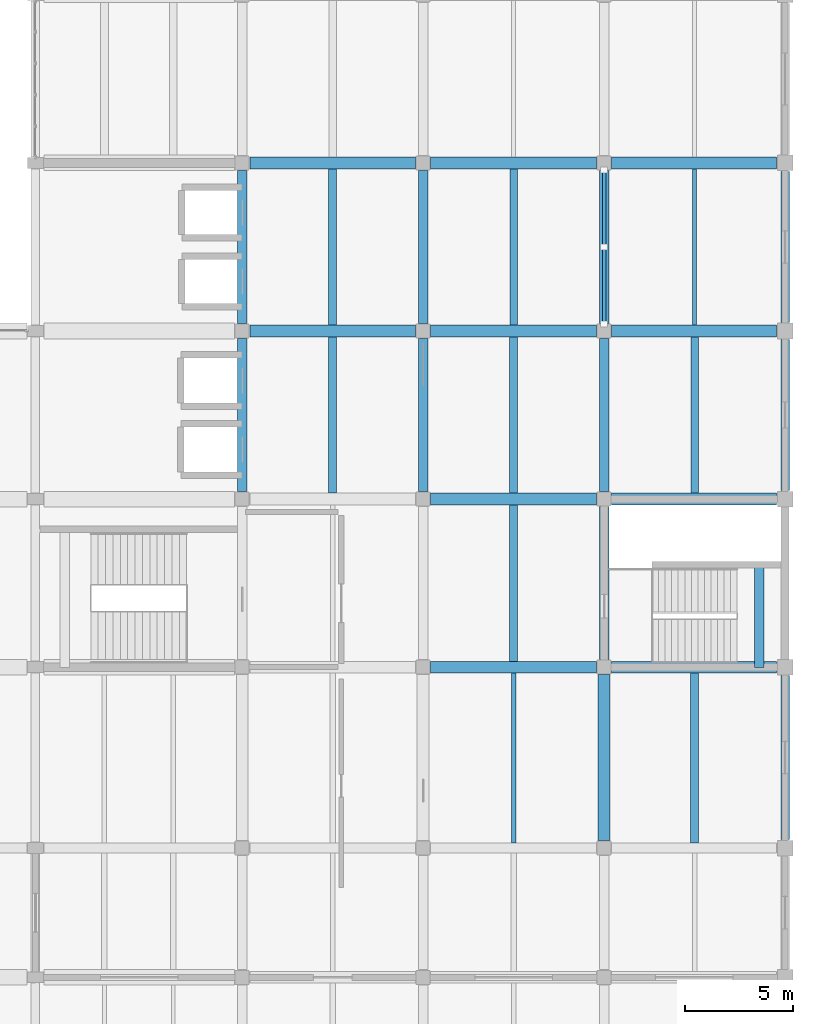
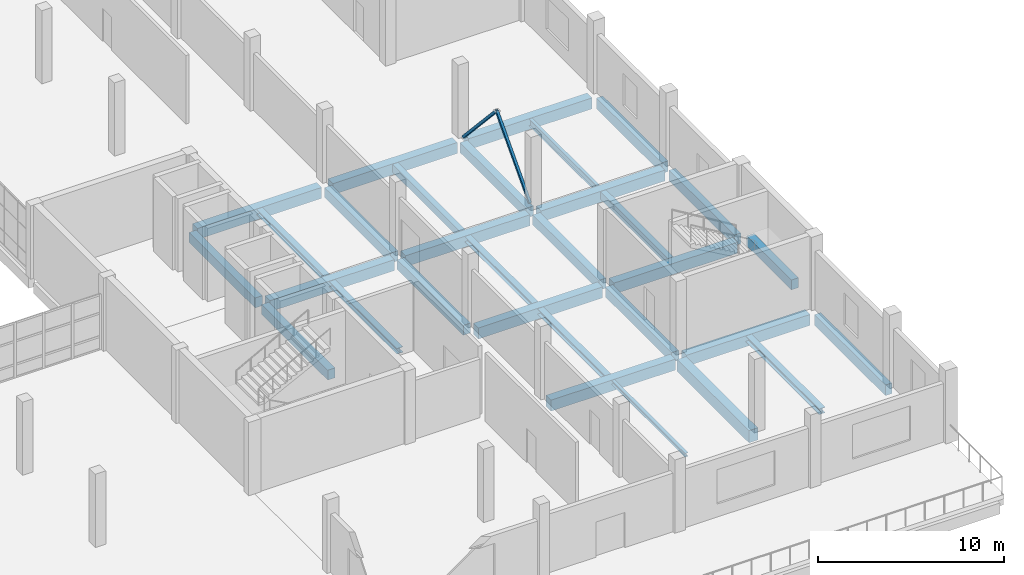
# One storey, part 37 of 79: 31 beams, 2 members.
"""IFC4 building model written with IfcOpenShell, lengths in metres."""

from ifc_helpers import new_model, si_unit, direction, frame, origin, origin_2d, place, context, subcontext, project, spatial, rectangle, hollow_rectangle, i_section, extrude, material, material_profile, profile_set, type_object, element, save


model = new_model("IFC4")

# Units and contexts
model_context = context("Model", 3, precision=1e-05, world=origin(), true_north=direction((0.0, 1.0)))
body_context = subcontext(model_context, "Body", "Model", "MODEL_VIEW")
ifc_project = project(units=[si_unit("LENGTHUNIT", "METRE"), si_unit("AREAUNIT", "SQUARE_METRE"), si_unit("VOLUMEUNIT", "CUBIC_METRE"), si_unit("PLANEANGLEUNIT", "RADIAN"), si_unit("MASSUNIT", "GRAM", prefix="KILO")], contexts=[model_context])

# Site, building, storey
site_placement = place(None, origin())
site = spatial("IfcSite", under=ifc_project, at=site_placement, CompositionType="ELEMENT")
building_placement = place(site_placement, origin())
building = spatial("IfcBuilding", under=site, at=building_placement, Name="Pellamere Symphony Hall", CompositionType="ELEMENT")
storey_placement = place(building_placement, frame((0.0, 0.0, 10.199951171875)))
storey = spatial("IfcBuildingStorey", under=building, at=storey_placement, Name="L02", CompositionType="ELEMENT", Elevation=10.199951171875)

# Beams
ifc_material_1 = material(Name="Concrete 40 MPa", Category="concrete")
ifc_material_profile_1 = material_profile(ifc_material_1, rectangle(XDim=0.550048828125, YDim=0.800048828125, at=origin_2d()), Name="RC 550x800")
ifc_profile_set_1 = profile_set([ifc_material_profile_1], Name="Concrete 40 MPa")
beam_type_1 = type_object("IfcBeamType", Name="RC CB-05 550x800", PredefinedType="BEAM", material=ifc_profile_set_1)
beam_1_placement = place(storey_placement, frame((164.39990234375, 30.35009765625, -0.679931640625), z_axis=(0.0, 1.0, 0.0), x_axis=(-1.0, 0.0, 0.0)))
element("IfcBeam", 1, at=beam_1_placement, inside=storey, type_object=beam_type_1, Name="Girder CB-05-Y1378 (L02)", PredefinedType="BEAM", context=body_context, shape_type="SweptSolid", body=[
    extrude(rectangle(XDim=0.550048828125, YDim=0.800048828125, at=origin_2d()), origin(), (0.0, 0.0, 1.0), 7.699951171875),
])
ifc_material_profile_2 = material_profile(ifc_material_1, rectangle(XDim=0.449951171875, YDim=0.64990234375, at=origin_2d()), Name="RC 450x650")
ifc_profile_set_2 = profile_set([ifc_material_profile_2], Name="Concrete 40 MPa")
beam_type_2 = type_object("IfcBeamType", Name="RC CB-08 450x650", PredefinedType="BEAM", material=ifc_profile_set_2)
for number, where, z_axis, x_axis, name in (
    (2, (147.60009765625, 46.550048828125, -0.60498046875), (0.0, 1.0, 0.0), (-1.0, 0.0, 0.0), "Girder CB-08-Y1358 (L02)"),
    (3, (147.60009765625, 54.35009765625, -0.60498046875), (0.0, 1.0, 0.0), (-1.0, 0.0, 0.0), "Girder CB-08-Y1359 (L02)"),
    (4, (156.0, 46.550048828125, -0.60498046875), (0.0, 1.0, 0.0), (-1.0, 0.0, 0.0), "Girder CB-08-Y1369 (L02)"),
    (5, (156.0, 54.35009765625, -0.60498046875), (0.0, 1.0, 0.0), (-1.0, 0.0, 0.0), "Girder CB-08-Y1370 (L02)"),
):
    element("IfcBeam", number, at=place(storey_placement, frame(where, z_axis=z_axis, x_axis=x_axis)), inside=storey, type_object=beam_type_2, Name=name, PredefinedType="BEAM", context=body_context, shape_type="SweptSolid", body=[
        extrude(rectangle(XDim=0.449951171875, YDim=0.64990234375, at=origin_2d()), origin(), (0.0, 0.0, 1.0), 7.099853515625),
    ])
beam_2_placement = place(storey_placement, frame((164.39990234375, 38.75, -0.60498046875), z_axis=(0.0, 1.0, 0.0), x_axis=(-1.0, 0.0, 0.0)))
element("IfcBeam", 6, at=beam_2_placement, inside=storey, type_object=beam_type_2, Name="Girder CB-08-Y1379 (L02)", PredefinedType="BEAM", context=body_context, shape_type="SweptSolid", body=[
    extrude(rectangle(XDim=0.449951171875, YDim=0.64990234375, at=origin_2d()), origin(), (0.0, 0.0, 1.0), 7.10009765625),
])
for number, where, z_axis, x_axis, name in (
    (7, (164.39990234375, 46.550048828125, -0.60498046875), (0.0, 1.0, 0.0), (-1.0, 0.0, 0.0), "Girder CB-08-Y1380 (L02)"),
    (8, (164.39990234375, 54.35009765625, -0.60498046875), (0.0, 1.0, 0.0), (-1.0, 0.0, 0.0), "Girder CB-08-Y1381 (L02)"),
):
    element("IfcBeam", number, at=place(storey_placement, frame(where, z_axis=z_axis, x_axis=x_axis)), inside=storey, type_object=beam_type_2, Name=name, PredefinedType="BEAM", context=body_context, shape_type="SweptSolid", body=[
        extrude(rectangle(XDim=0.449951171875, YDim=0.64990234375, at=origin_2d()), origin(), (0.0, 0.0, 1.0), 7.099853515625),
    ])
beam_3_placement = place(storey_placement, frame((171.607421875, 38.3798828125, 1.85498046875), z_axis=(0.0, 1.0, 0.0), x_axis=(-1.0, 0.0, 0.0)))
element("IfcBeam", 9, at=beam_3_placement, inside=storey, type_object=beam_type_2, Name="Stair ST06-L02 Half Landing Support Beam (L02)", PredefinedType="BEAM", context=body_context, shape_type="SweptSolid", body=[
    extrude(rectangle(XDim=0.449951171875, YDim=0.64990234375, at=origin_2d()), origin(), (0.0, 0.0, 1.0), 4.780029296875),
])
ifc_material_2 = material(Name="Concrete 35 MPa", Category="concrete")
ifc_material_profile_3 = material_profile(ifc_material_2, rectangle(XDim=0.35009765625, YDim=0.5, at=origin_2d()), Name="RC 350x500")
ifc_profile_set_3 = profile_set([ifc_material_profile_3], Name="Concrete 35 MPa")
beam_type_3 = type_object("IfcBeamType", Name="RC CB-11 350x500", PredefinedType="BEAM", material=ifc_profile_set_3)
for number, where, z_axis, x_axis, name in (
    (10, (160.199951171875, 54.27001953125, -0.544921875), (0.0, 1.0, 0.0), (-1.0, 0.0, 0.0), "Secondary Floor Beam CB-11-M1907 (L02)"),
    (11, (168.60009765625, 46.469970703125, -0.544921875), (0.0, 1.0, 0.0), (-1.0, 0.0, 0.0), "Secondary Floor Beam CB-11-M2006 (L02)"),
):
    element("IfcBeam", number, at=place(storey_placement, frame(where, z_axis=z_axis, x_axis=x_axis)), inside=storey, type_object=beam_type_3, Name=name, PredefinedType="BEAM", context=body_context, shape_type="SweptSolid", body=[
        extrude(rectangle(XDim=0.35009765625, YDim=0.5, at=origin_2d()), origin(), (0.0, 0.0, 1.0), 7.260009765625),
    ])
ifc_material_profile_4 = material_profile(ifc_material_1, rectangle(XDim=0.39990234375, YDim=0.699951171875, at=origin_2d()), Name="RC 400x700")
ifc_profile_set_4 = profile_set([ifc_material_profile_4], Name="Concrete 40 MPa")
beam_type_4 = type_object("IfcBeamType", Name="RC CB-13 400x700", PredefinedType="SPANDREL", material=ifc_profile_set_4)
beam_4_placement = place(storey_placement, frame((172.800048828125, 30.389892578125, -0.6298828125), z_axis=(0.0, 1.0, 0.0), x_axis=(-1.0, 0.0, 0.0)))
element("IfcBeam", 12, at=beam_4_placement, inside=storey, type_object=beam_type_4, Name="Girder CB-13-Y1389 (L02)", PredefinedType="SPANDREL", context=body_context, shape_type="SweptSolid", body=[
    extrude(rectangle(XDim=0.39990234375, YDim=0.699951171875, at=origin_2d()), origin(), (0.0, 0.0, 1.0), 7.6201171875),
])
for number, where, z_axis, x_axis, name in (
    (13, (172.800048828125, 46.590087890625, -0.6298828125), (0.0, 1.0, 0.0), (-1.0, 0.0, 0.0), "Girder CB-13-Y1390 (L02)"),
    (14, (172.800048828125, 54.389892578125, -0.6298828125), (0.0, 1.0, 0.0), (-1.0, 0.0, 0.0), "Girder CB-13-Y1391 (L02)"),
):
    element("IfcBeam", number, at=place(storey_placement, frame(where, z_axis=z_axis, x_axis=x_axis)), inside=storey, type_object=beam_type_4, Name=name, PredefinedType="SPANDREL", context=body_context, shape_type="SweptSolid", body=[
        extrude(rectangle(XDim=0.39990234375, YDim=0.699951171875, at=origin_2d()), origin(), (0.0, 0.0, 1.0), 7.02001953125),
    ])
ifc_material_profile_5 = material_profile(ifc_material_1, rectangle(XDim=0.5400390625, YDim=0.719970703125, at=origin_2d()), Name="RC 540x720")
ifc_profile_set_5 = profile_set([ifc_material_profile_5], Name="Concrete 40 MPa")
beam_type_5 = type_object("IfcBeamType", Name="RC CB-24 540x720", PredefinedType="BEAM", material=ifc_profile_set_5)
beam_5_placement = place(storey_placement, frame((156.35009765625, 38.39990234375, -0.639892578125), z_axis=(1.0, 0.0, 0.0), x_axis=(0.0, 1.0, 0.0)))
element("IfcBeam", 15, at=beam_5_placement, inside=storey, type_object=beam_type_5, Name="Girder CB-24-X1107 (L02)", PredefinedType="BEAM", context=body_context, shape_type="SweptSolid", body=[
    extrude(rectangle(XDim=0.5400390625, YDim=0.719970703125, at=origin_2d()), origin(), (0.0, 0.0, 1.0), 7.699951171875),
])
beam_6_placement = place(storey_placement, frame((164.75, 38.39990234375, -0.639892578125), z_axis=(1.0, 0.0, 0.0), x_axis=(0.0, 1.0, 0.0)))
element("IfcBeam", 16, at=beam_6_placement, inside=storey, type_object=beam_type_5, Name="Girder CB-24-X1108 (L02)", PredefinedType="BEAM", context=body_context, shape_type="SweptSolid", body=[
    extrude(rectangle(XDim=0.5400390625, YDim=0.719970703125, at=origin_2d()), origin(), (0.0, 0.0, 1.0), 7.659912109375),
])
beam_7_placement = place(storey_placement, frame((156.35009765625, 46.199951171875, -0.639892578125), z_axis=(1.0, 0.0, 0.0), x_axis=(0.0, 1.0, 0.0)))
element("IfcBeam", 17, at=beam_7_placement, inside=storey, type_object=beam_type_5, Name="Girder CB-24-X1127 (L02)", PredefinedType="BEAM", context=body_context, shape_type="SweptSolid", body=[
    extrude(rectangle(XDim=0.5400390625, YDim=0.719970703125, at=origin_2d()), origin(), (0.0, 0.0, 1.0), 7.699951171875),
])
beam_8_placement = place(storey_placement, frame((164.75, 46.199951171875, -0.639892578125), z_axis=(1.0, 0.0, 0.0), x_axis=(0.0, 1.0, 0.0)))
element("IfcBeam", 18, at=beam_8_placement, inside=storey, type_object=beam_type_5, Name="Girder CB-24-X1128 (L02)", PredefinedType="BEAM", context=body_context, shape_type="SweptSolid", body=[
    extrude(rectangle(XDim=0.5400390625, YDim=0.719970703125, at=origin_2d()), origin(), (0.0, 0.0, 1.0), 7.659912109375),
])
for number, where, z_axis, x_axis, name in (
    (19, (147.949951171875, 54.0, -0.639892578125), (1.0, 0.0, 0.0), (0.0, 1.0, 0.0), "Girder CB-24-X1139 (L02)"),
    (20, (156.35009765625, 54.0, -0.639892578125), (1.0, 0.0, 0.0), (0.0, 1.0, 0.0), "Girder CB-24-X1140 (L02)"),
):
    element("IfcBeam", number, at=place(storey_placement, frame(where, z_axis=z_axis, x_axis=x_axis)), inside=storey, type_object=beam_type_5, Name=name, PredefinedType="BEAM", context=body_context, shape_type="SweptSolid", body=[
        extrude(rectangle(XDim=0.5400390625, YDim=0.719970703125, at=origin_2d()), origin(), (0.0, 0.0, 1.0), 7.699951171875),
    ])
beam_9_placement = place(storey_placement, frame((164.75, 54.0, -0.639892578125), z_axis=(1.0, 0.0, 0.0), x_axis=(0.0, 1.0, 0.0)))
element("IfcBeam", 21, at=beam_9_placement, inside=storey, type_object=beam_type_5, Name="Girder CB-24-X1141 (L02)", PredefinedType="BEAM", context=body_context, shape_type="SweptSolid", body=[
    extrude(rectangle(XDim=0.5400390625, YDim=0.719970703125, at=origin_2d()), origin(), (0.0, 0.0, 1.0), 7.659912109375),
])
for number, where, z_axis, x_axis, name in (
    (22, (147.949951171875, 61.800048828125, -0.639892578125), (1.0, 0.0, 0.0), (0.0, 1.0, 0.0), "Girder CB-24-X1145 (L02)"),
    (23, (156.35009765625, 61.800048828125, -0.639892578125), (1.0, 0.0, 0.0), (0.0, 1.0, 0.0), "Girder CB-24-X1146 (L02)"),
):
    element("IfcBeam", number, at=place(storey_placement, frame(where, z_axis=z_axis, x_axis=x_axis)), inside=storey, type_object=beam_type_5, Name=name, PredefinedType="BEAM", context=body_context, shape_type="SweptSolid", body=[
        extrude(rectangle(XDim=0.5400390625, YDim=0.719970703125, at=origin_2d()), origin(), (0.0, 0.0, 1.0), 7.699951171875),
    ])
beam_10_placement = place(storey_placement, frame((164.75, 61.800048828125, -0.639892578125), z_axis=(1.0, 0.0, 0.0), x_axis=(0.0, 1.0, 0.0)))
element("IfcBeam", 24, at=beam_10_placement, inside=storey, type_object=beam_type_5, Name="Girder CB-24-X1147 (L02)", PredefinedType="BEAM", context=body_context, shape_type="SweptSolid", body=[
    extrude(rectangle(XDim=0.5400390625, YDim=0.719970703125, at=origin_2d()), origin(), (0.0, 0.0, 1.0), 7.659912109375),
])
ifc_material_3 = material(Name="Steel CSA G40.21 350W", Category="steel")
ifc_material_profile_6 = material_profile(ifc_material_3, i_section(OverallWidth=0.3740234375, OverallDepth=0.3720703125, WebThickness=0.016357421875, FlangeThickness=0.026123046875, at=origin_2d()), Name="W360X196")
ifc_profile_set_6 = profile_set([ifc_material_profile_6], Name="Steel CSA G40.21 350W")
beam_type_6 = type_object("IfcBeamType", Name="Steel Beam SB-27 W360X196", PredefinedType="BEAM", material=ifc_profile_set_6)
for number, where, z_axis, x_axis, name in (
    (25, (151.800048828125, 46.469970703125, -0.48095703125), (0.0, 1.0, 0.0), (-1.0, 0.0, 0.0), "Secondary Floor Beam SB-27-M1806 (L02)"),
    (26, (160.199951171875, 38.669921875, -0.48095703125), (0.0, 1.0, 0.0), (-1.0, 0.0, 0.0), "Secondary Floor Beam SB-27-M1905 (L02)"),
):
    element("IfcBeam", number, at=place(storey_placement, frame(where, z_axis=z_axis, x_axis=x_axis)), inside=storey, type_object=beam_type_6, Name=name, PredefinedType="BEAM", context=body_context, shape_type="SweptSolid", body=[
        extrude(i_section(OverallWidth=0.3740234375, OverallDepth=0.3720703125, WebThickness=0.016357421875, FlangeThickness=0.026123046875, at=origin_2d()), origin(), (0.0, 0.0, 1.0), 7.260009765625),
    ])
beam_11_placement = place(storey_placement, frame((168.60009765625, 30.239990234375, -0.48095703125), z_axis=(0.0, 1.0, 0.0), x_axis=(-1.0, 0.0, 0.0)))
element("IfcBeam", 27, at=beam_11_placement, inside=storey, type_object=beam_type_6, Name="Secondary Floor Beam SB-27-M2004 (L02)", PredefinedType="BEAM", context=body_context, shape_type="SweptSolid", body=[
    extrude(i_section(OverallWidth=0.3740234375, OverallDepth=0.3720703125, WebThickness=0.016357421875, FlangeThickness=0.026123046875, at=origin_2d()), origin(), (0.0, 0.0, 1.0), 7.889892578125),
])
ifc_material_profile_7 = material_profile(ifc_material_3, i_section(OverallWidth=0.368896484375, OverallDepth=0.35595703125, WebThickness=0.01123046875, FlangeThickness=0.01806640625, at=origin_2d()), Name="W360X134")
ifc_profile_set_7 = profile_set([ifc_material_profile_7], Name="Steel CSA G40.21 350W")
beam_type_7 = type_object("IfcBeamType", Name="Steel Beam SB-28 W360X134", PredefinedType="BEAM", material=ifc_profile_set_7)
for number, where, z_axis, x_axis, name in (
    (28, (151.800048828125, 54.27001953125, -0.472900390625), (0.0, 1.0, 0.0), (-1.0, 0.0, 0.0), "Secondary Floor Beam SB-28-M1807 (L02)"),
    (29, (160.199951171875, 46.469970703125, -0.472900390625), (0.0, 1.0, 0.0), (-1.0, 0.0, 0.0), "Secondary Floor Beam SB-28-M1906 (L02)"),
):
    element("IfcBeam", number, at=place(storey_placement, frame(where, z_axis=z_axis, x_axis=x_axis)), inside=storey, type_object=beam_type_7, Name=name, PredefinedType="BEAM", context=body_context, shape_type="SweptSolid", body=[
        extrude(i_section(OverallWidth=0.368896484375, OverallDepth=0.35595703125, WebThickness=0.01123046875, FlangeThickness=0.01806640625, at=origin_2d()), origin(), (0.0, 0.0, 1.0), 7.260009765625),
    ])
ifc_material_profile_8 = material_profile(ifc_material_3, i_section(OverallWidth=0.19091796875, OverallDepth=0.4599609375, WebThickness=0.010009765625, FlangeThickness=0.014404296875, at=origin_2d()), Name="W460X82")
ifc_profile_set_8 = profile_set([ifc_material_profile_8], Name="Steel CSA G40.21 350W")
beam_type_8 = type_object("IfcBeamType", Name="Steel Joist SB-17 W460X82", PredefinedType="JOIST", material=ifc_profile_set_8)
beam_12_placement = place(storey_placement, frame((168.60009765625, 54.27001953125, -0.52490234375), z_axis=(0.0, 1.0, 0.0), x_axis=(-1.0, 0.0, 0.0)))
element("IfcBeam", 30, at=beam_12_placement, inside=storey, type_object=beam_type_8, Name="Secondary Floor Beam SB-17-M2007 (L02)", PredefinedType="JOIST", context=body_context, shape_type="SweptSolid", body=[
    extrude(i_section(OverallWidth=0.19091796875, OverallDepth=0.4599609375, WebThickness=0.010009765625, FlangeThickness=0.014404296875, at=origin_2d()), origin(), (0.0, 0.0, 1.0), 7.260009765625),
])
ifc_material_profile_9 = material_profile(ifc_material_3, i_section(OverallWidth=0.201904296875, OverallDepth=0.2470703125, WebThickness=0.00732421875, FlangeThickness=0.010986328125, at=origin_2d()), Name="W250X49")
ifc_profile_set_9 = profile_set([ifc_material_profile_9], Name="Steel CSA G40.21 350W")
beam_type_9 = type_object("IfcBeamType", Name="Steel Joist SB-25 W250X49", PredefinedType="JOIST", material=ifc_profile_set_9)
beam_13_placement = place(storey_placement, frame((160.199951171875, 30.239990234375, -0.41845703125), z_axis=(0.0, 1.0, 0.0), x_axis=(-1.0, 0.0, 0.0)))
element("IfcBeam", 31, at=beam_13_placement, inside=storey, type_object=beam_type_9, Name="Secondary Floor Beam SB-25-M1904 (L02)", PredefinedType="JOIST", context=body_context, shape_type="SweptSolid", body=[
    extrude(i_section(OverallWidth=0.201904296875, OverallDepth=0.2470703125, WebThickness=0.00732421875, FlangeThickness=0.010986328125, at=origin_2d()), origin(), (0.0, 0.0, 1.0), 7.889892578125),
])

# Members
ifc_material_profile_10 = material_profile(ifc_material_3, hollow_rectangle(XDim=0.15234375, YDim=0.15234375, WallThickness=0.009521484375, at=origin_2d()), Name="HSS152X152X10")
ifc_profile_set_10 = profile_set([ifc_material_profile_10], Name="Steel CSA G40.21 350W")
member_type = type_object("IfcMemberType", Name="Steel Member SM-06 HSS152X152X10", PredefinedType="BRACE", material=ifc_profile_set_10)
member_1_placement = place(storey_placement, frame((164.39990234375, 54.324951171875, 0.0), z_axis=(0.0, 0.676648988633, 0.736305742326), x_axis=(-1.0, 0.0, 0.0)))
element("IfcMember", 32, at=member_1_placement, inside=storey, type_object=member_type, Name="Interior Frame Chevron Brace 04A (L02)", PredefinedType="BRACE", context=body_context, shape_type="SweptSolid", body=[
    extrude(hollow_rectangle(XDim=0.15234375, YDim=0.15234375, WallThickness=0.009521484375, at=origin_2d()), origin(), (0.0, 0.0, 1.0), 5.283203125),
])
member_2_placement = place(storey_placement, frame((164.39990234375, 61.47509765625, 0.0), z_axis=(0.0, -0.676674039882, 0.736282719986), x_axis=(1.0, 0.0, 0.0)))
element("IfcMember", 33, at=member_2_placement, inside=storey, type_object=member_type, Name="Interior Frame Chevron Brace 04B (L02)", PredefinedType="BRACE", context=body_context, shape_type="SweptSolid", body=[
    extrude(hollow_rectangle(XDim=0.15234375, YDim=0.15234375, WallThickness=0.009521484375, at=origin_2d()), origin(), (0.0, 0.0, 1.0), 5.283447265625),
])

save(model, "model.ifc")
